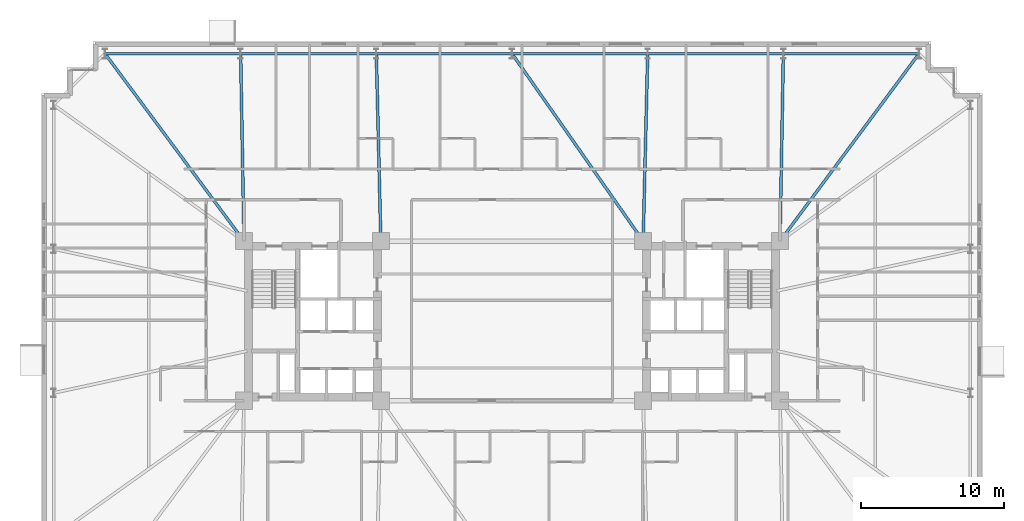
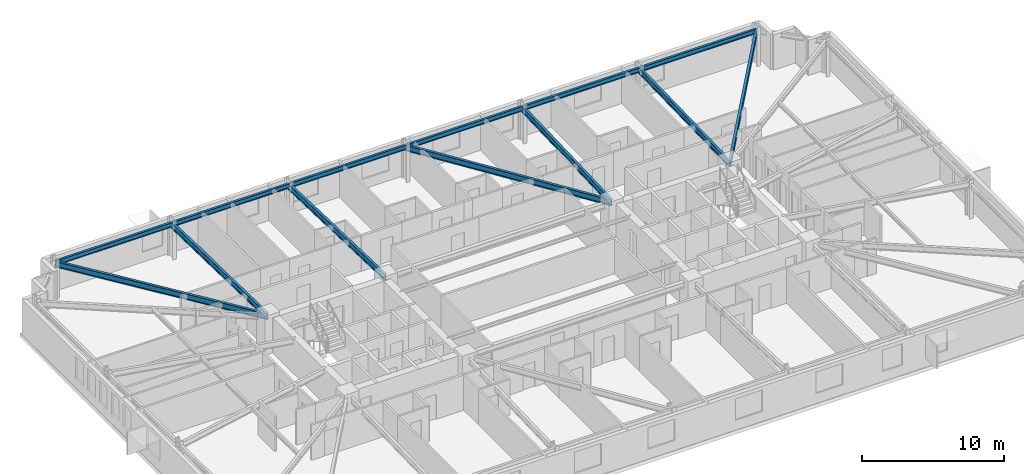
# One storey, part 9 of 21: 13 beams.
"""IFC4 building model written with IfcOpenShell, lengths in metres."""

from ifc_helpers import new_model, si_unit, direction, frame, origin, origin_2d, place, context, subcontext, project, spatial, i_section, extrude, material, material_profile, profile_set, type_object, element, save


model = new_model("IFC4")

# Units and contexts
model_context = context("Model", 3, precision=1e-05, world=origin(), true_north=direction((0.0, 1.0)))
body_context = subcontext(model_context, "Body", "Model", "MODEL_VIEW")
ifc_project = project(units=[si_unit("LENGTHUNIT", "METRE"), si_unit("AREAUNIT", "SQUARE_METRE"), si_unit("VOLUMEUNIT", "CUBIC_METRE"), si_unit("PLANEANGLEUNIT", "RADIAN"), si_unit("MASSUNIT", "GRAM", prefix="KILO")], contexts=[model_context])

# Site, building, storey
site_placement = place(None, origin())
site = spatial("IfcSite", under=ifc_project, at=site_placement, CompositionType="ELEMENT")
building_placement = place(site_placement, origin())
building = spatial("IfcBuilding", under=site, at=building_placement, Name="Qobustan Lattice House", CompositionType="ELEMENT")
storey_placement = place(building_placement, frame((0.0, 0.0, 57.14990234375)))
storey = spatial("IfcBuildingStorey", under=building, at=storey_placement, Name="L15", CompositionType="ELEMENT", Elevation=57.14990234375)

# Beams
ifc_material_1 = material(Name="Steel S355", Category="steel")
ifc_material_profile_1 = material_profile(ifc_material_1, i_section(OverallWidth=0.199951171875, OverallDepth=0.5, WebThickness=0.01025390625, FlangeThickness=0.01611328125, FilletRadius=0.02099609375, at=origin_2d()), Name="IPE500")
ifc_profile_set_1 = profile_set([ifc_material_profile_1], Name="Steel S355")
beam_type_1 = type_object("IfcBeamType", Name="BM-FLG-IPE500", PredefinedType="USERDEFINED", material=ifc_profile_set_1)
beam_1_placement = place(storey_placement, frame((-28.53515625, 18.72998046875, 2.78515625), z_axis=(0.5955916815, -0.803287338956, 0.0), x_axis=(0.803287338956, 0.5955916815, 0.0)))
element("IfcBeam", 1, at=beam_1_placement, inside=storey, type_object=beam_type_1, Name="L15 primary floor girder RAD-N7W", ObjectType="GIRDER", PredefinedType="USERDEFINED", context=body_context, shape_type="SweptSolid", body=[
    extrude(i_section(OverallWidth=0.199951171875, OverallDepth=0.5, WebThickness=0.01025390625, FlangeThickness=0.01611328125, FilletRadius=0.02099609375, at=origin_2d()), origin(), (0.0, 0.0, 1.0), 16.3203125),
])
beam_2_placement = place(storey_placement, frame((-19.032958984375, 18.72509765625, 2.78515625), z_axis=(0.017757831607, -0.999842317276, 0.0), x_axis=(0.999842317276, 0.017757831607, 0.0)))
element("IfcBeam", 2, at=beam_2_placement, inside=storey, type_object=beam_type_1, Name="L15 primary floor girder RAD-N6", ObjectType="GIRDER", PredefinedType="USERDEFINED", context=body_context, shape_type="SweptSolid", body=[
    extrude(i_section(OverallWidth=0.199951171875, OverallDepth=0.5, WebThickness=0.01025390625, FlangeThickness=0.01611328125, FilletRadius=0.02099609375, at=origin_2d()), origin(), (0.0, 0.0, 1.0), 13.10205078125),
])
beam_3_placement = place(storey_placement, frame((-9.51611328125, 18.72509765625, 2.78515625), z_axis=(0.024071445657, -0.999710240772, 0.0), x_axis=(0.999710240772, 0.024071445657, 0.0)))
element("IfcBeam", 3, at=beam_3_placement, inside=storey, type_object=beam_type_1, Name="L15 primary floor girder RAD-N5", ObjectType="GIRDER", PredefinedType="USERDEFINED", context=body_context, shape_type="SweptSolid", body=[
    extrude(i_section(OverallWidth=0.199951171875, OverallDepth=0.5, WebThickness=0.01025390625, FlangeThickness=0.01611328125, FilletRadius=0.02099609375, at=origin_2d()), origin(), (0.0, 0.0, 1.0), 13.10400390625),
])
beam_4_placement = place(storey_placement, frame((0.014404296875, 18.7294921875, 2.78515625), z_axis=(0.57325954206, -0.819373844736, 0.0), x_axis=(0.819373844736, 0.57325954206, 0.0)))
element("IfcBeam", 4, at=beam_4_placement, inside=storey, type_object=beam_type_1, Name="L15 primary floor girder RAD-N4", ObjectType="GIRDER", PredefinedType="USERDEFINED", context=body_context, shape_type="SweptSolid", body=[
    extrude(i_section(OverallWidth=0.199951171875, OverallDepth=0.5, WebThickness=0.01025390625, FlangeThickness=0.01611328125, FilletRadius=0.02099609375, at=origin_2d()), origin(), (0.0, 0.0, 1.0), 15.998779296875),
])
beam_5_placement = place(storey_placement, frame((9.51611328125, 18.72509765625, 2.78515625), z_axis=(-0.024071445657, -0.999710240772, 0.0), x_axis=(0.999710240772, -0.024071445657, 0.0)))
element("IfcBeam", 5, at=beam_5_placement, inside=storey, type_object=beam_type_1, Name="L15 primary floor girder RAD-N3", ObjectType="GIRDER", PredefinedType="USERDEFINED", context=body_context, shape_type="SweptSolid", body=[
    extrude(i_section(OverallWidth=0.199951171875, OverallDepth=0.5, WebThickness=0.01025390625, FlangeThickness=0.01611328125, FilletRadius=0.02099609375, at=origin_2d()), origin(), (0.0, 0.0, 1.0), 13.10400390625),
])
beam_6_placement = place(storey_placement, frame((19.032958984375, 18.72509765625, 2.78515625), z_axis=(-0.017757831607, -0.999842317276, 0.0), x_axis=(0.999842317276, -0.017757831607, 0.0)))
element("IfcBeam", 6, at=beam_6_placement, inside=storey, type_object=beam_type_1, Name="L15 primary floor girder RAD-N2", ObjectType="GIRDER", PredefinedType="USERDEFINED", context=body_context, shape_type="SweptSolid", body=[
    extrude(i_section(OverallWidth=0.199951171875, OverallDepth=0.5, WebThickness=0.01025390625, FlangeThickness=0.01611328125, FilletRadius=0.02099609375, at=origin_2d()), origin(), (0.0, 0.0, 1.0), 13.10205078125),
])
beam_7_placement = place(storey_placement, frame((28.53515625, 18.72998046875, 2.78515625), z_axis=(-0.5955916815, -0.803287338956, 0.0), x_axis=(0.803287338956, -0.5955916815, 0.0)))
element("IfcBeam", 7, at=beam_7_placement, inside=storey, type_object=beam_type_1, Name="L15 primary floor girder RAD-N1E", ObjectType="GIRDER", PredefinedType="USERDEFINED", context=body_context, shape_type="SweptSolid", body=[
    extrude(i_section(OverallWidth=0.199951171875, OverallDepth=0.5, WebThickness=0.01025390625, FlangeThickness=0.01611328125, FilletRadius=0.02099609375, at=origin_2d()), origin(), (0.0, 0.0, 1.0), 16.3203125),
])
ifc_material_2 = material(Name="Steel S355", Category="steel")
ifc_material_profile_2 = material_profile(ifc_material_2, i_section(OverallWidth=0.179931640625, OverallDepth=0.39990234375, WebThickness=0.008544921875, FlangeThickness=0.013427734375, FilletRadius=0.02099609375, at=origin_2d()), Name="IPE400")
ifc_profile_set_2 = profile_set([ifc_material_profile_2], Name="Steel S355")
beam_type_2 = type_object("IfcBeamType", Name="BM-SPD-IPE400", PredefinedType="SPANDREL", material=ifc_profile_set_2)
for number, where, z_axis, x_axis, name in (
    (8, (28.52490234375, 18.75, 2.835205078125), (-1.0, 0.0, 0.0), (0.0, -1.0, 0.0), "L15 perimeter spandrel N1-N2"),
    (9, (19.00830078125, 18.75, 2.835205078125), (-1.0, 0.0, 0.0), (0.0, -1.0, 0.0), "L15 perimeter spandrel N2-N3"),
):
    element("IfcBeam", number, at=place(storey_placement, frame(where, z_axis=z_axis, x_axis=x_axis)), inside=storey, type_object=beam_type_2, Name=name, PredefinedType="SPANDREL", context=body_context, shape_type="SweptSolid", body=[
        extrude(i_section(OverallWidth=0.179931640625, OverallDepth=0.39990234375, WebThickness=0.008544921875, FlangeThickness=0.013427734375, FilletRadius=0.02099609375, at=origin_2d()), origin(), (0.0, 0.0, 1.0), 9.466552734375),
    ])
for number, where, z_axis, x_axis, name in (
    (10, (9.49169921875, 18.75, 2.835205078125), (-1.0, 0.0, 0.0), (0.0, -1.0, 0.0), "L15 perimeter spandrel N3-N4"),
    (11, (-0.02490234375, 18.75, 2.835205078125), (-1.0, 0.0, 0.0), (0.0, -1.0, 0.0), "L15 perimeter spandrel N4-N5"),
):
    element("IfcBeam", number, at=place(storey_placement, frame(where, z_axis=z_axis, x_axis=x_axis)), inside=storey, type_object=beam_type_2, Name=name, PredefinedType="SPANDREL", context=body_context, shape_type="SweptSolid", body=[
        extrude(i_section(OverallWidth=0.179931640625, OverallDepth=0.39990234375, WebThickness=0.008544921875, FlangeThickness=0.013427734375, FilletRadius=0.02099609375, at=origin_2d()), origin(), (0.0, 0.0, 1.0), 9.466796875),
    ])
for number, where, z_axis, x_axis, name in (
    (12, (-9.541748046875, 18.75, 2.835205078125), (-1.0, 0.0, 0.0), (0.0, -1.0, 0.0), "L15 perimeter spandrel N5-N6"),
    (13, (-19.058349609375, 18.75, 2.835205078125), (-1.0, 0.0, 0.0), (0.0, -1.0, 0.0), "L15 perimeter spandrel N6-N7"),
):
    element("IfcBeam", number, at=place(storey_placement, frame(where, z_axis=z_axis, x_axis=x_axis)), inside=storey, type_object=beam_type_2, Name=name, PredefinedType="SPANDREL", context=body_context, shape_type="SweptSolid", body=[
        extrude(i_section(OverallWidth=0.179931640625, OverallDepth=0.39990234375, WebThickness=0.008544921875, FlangeThickness=0.013427734375, FilletRadius=0.02099609375, at=origin_2d()), origin(), (0.0, 0.0, 1.0), 9.466552734375),
    ])

save(model, "model.ifc")
